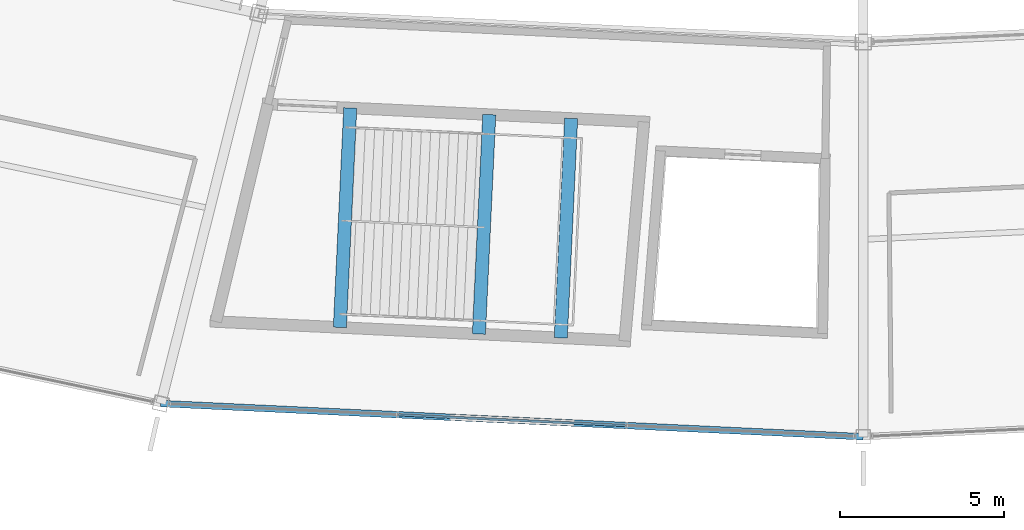
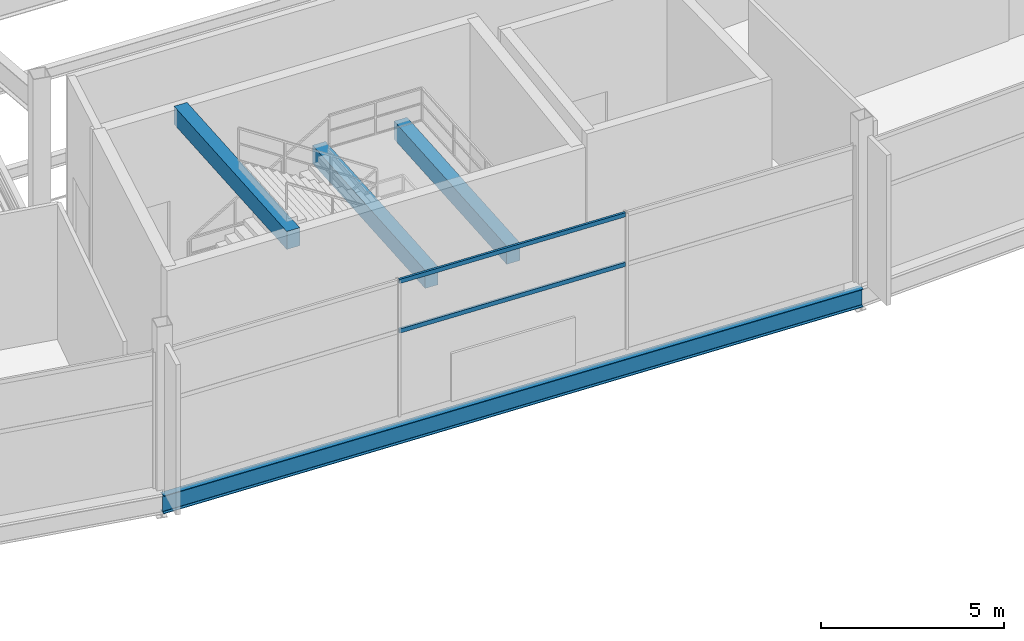
# One storey, part 30 of 186: 4 beams, 2 members, 1 element without a shape of its own.
"""IFC4 building model written with IfcOpenShell, lengths in metres."""

import ifcopenshell
import ifcopenshell.guid

model = None  # the IFC model being written
_history = None  # IfcOwnerHistory: only IFC2X3 demands one
_inside = {}  # id of a spatial element -> (the spatial element, [elements in it])
_under = {}  # id of a project, library or spatial element -> (it, [spatial elements below it])
_declared = {}  # id of a project -> (the project, [libraries it declares])
_typed = {}  # id of a type object -> (the type object, [elements of that type])
_made_of = {}  # id of a material, layer set ... -> (it, [elements and type objects made of it])


def new_model(schema):
    """Start an empty IFC model of exactly this schema.

    Asked for "IFC4X3", IfcOpenShell would pick the latest addendum, in which some entities
    have other attributes; the version numbers below select the first issue.
    IFC2X3 requires an IfcOwnerHistory on every rooted entity: one is made here for all.
    """
    global model, _history
    if schema == "IFC4X3":
        model = ifcopenshell.file(schema_version=(4, 3, 0, 0))
    else:
        model = ifcopenshell.file(schema=schema)
    _inside.clear()
    _under.clear()
    _declared.clear()
    _typed.clear()
    _made_of.clear()
    _history = None
    if model.schema == "IFC2X3":
        org = make("IfcOrganization", Name="unknown")
        user = make(
            "IfcPersonAndOrganization",
            ThePerson=make("IfcPerson", FamilyName="unknown"),
            TheOrganization=org,
        )
        app = make(
            "IfcApplication",
            ApplicationDeveloper=org,
            Version="unknown",
            ApplicationFullName="unknown",
            ApplicationIdentifier="unknown",
        )
        _history = make(
            "IfcOwnerHistory",
            OwningUser=user,
            OwningApplication=app,
            ChangeAction="ADDED",
            CreationDate=0,
        )
    return model


def make(cls, **values):
    """One entity of the class cls with the attributes given. An attribute that is None is left unset."""
    return model.create_entity(
        cls, **{name: value for name, value in values.items() if value is not None}
    )


def rooted(cls, **values):
    """An entity with a GlobalId (a new one), such as an element, a storey or a relation."""
    return make(cls, GlobalId=ifcopenshell.guid.new(), OwnerHistory=_history, **values)


def si_unit(unit_type, name, prefix=None):
    """IfcSIUnit, for example si_unit("LENGTHUNIT", "METRE", prefix="MILLI")."""
    return make("IfcSIUnit", UnitType=unit_type, Prefix=prefix, Name=name)


def assignment(units):
    """IfcUnitAssignment: the units of a project."""
    return None if units is None else make("IfcUnitAssignment", Units=units)


def point(xyz):
    """IfcCartesianPoint."""
    return None if xyz is None else make("IfcCartesianPoint", Coordinates=xyz)


def direction(xyz):
    """IfcDirection."""
    return None if xyz is None else make("IfcDirection", DirectionRatios=xyz)


def frame(location, z_axis=None, x_axis=None):
    """IfcAxis2Placement3D, a coordinate frame: its origin and axes. An axis left out is left unset."""
    return make(
        "IfcAxis2Placement3D",
        Location=point(location),
        Axis=direction(z_axis),
        RefDirection=direction(x_axis),
    )


def frame_2d(location, x_axis=None):
    """IfcAxis2Placement2D, a coordinate frame in the plane: its origin and x axis."""
    return make(
        "IfcAxis2Placement2D", Location=point(location), RefDirection=direction(x_axis)
    )


def origin():
    """The frame at (0, 0, 0) with its axes left unset."""
    return frame((0.0, 0.0, 0.0))


def origin_2d():
    """The frame at (0, 0) in the plane with its x axis left unset."""
    return frame_2d((0.0, 0.0))


def place(relative_to, where):
    """IfcLocalPlacement: puts the frame where relative to a parent placement (None: the world)."""
    return make(
        "IfcLocalPlacement", PlacementRelTo=relative_to, RelativePlacement=where
    )


def context(
    kind, dimensions, precision=None, world=None, true_north=None, identifier=None
):
    """IfcGeometricRepresentationContext, for example the 3D "Model" context."""
    return make(
        "IfcGeometricRepresentationContext",
        ContextIdentifier=identifier,
        ContextType=kind,
        CoordinateSpaceDimension=dimensions,
        Precision=precision,
        WorldCoordinateSystem=world,
        TrueNorth=true_north,
    )


def subcontext(parent, identifier, kind, view, scale=None):
    """IfcGeometricRepresentationSubContext, for example "Body" below "Model"."""
    return make(
        "IfcGeometricRepresentationSubContext",
        ContextIdentifier=identifier,
        ContextType=kind,
        ParentContext=parent,
        TargetScale=scale,
        TargetView=view,
    )


def project(units=None, contexts=None):
    """IfcProject with its units and contexts."""
    return rooted(
        "IfcProject",
        Name="project",
        RepresentationContexts=contexts,
        UnitsInContext=assignment(units),
    )


def spatial(cls, under=None, at=None, **own):
    """A site, building, storey or space (cls), placed at a placement, below another one or the project."""
    s = rooted(cls, ObjectPlacement=at, **own)
    if under is not None:
        _under.setdefault(under.id(), (under, []))[1].append(s)
    return s


def profile(cls, at=None, kind="AREA", **sizes):
    """A parametric profile (cls). Its sizes go by their IFC names, for example OverallWidth=200.0."""
    return make(cls, ProfileType=kind, Position=at, **sizes)


def rectangle(**sizes):
    """IfcRectangleProfileDef."""
    return profile("IfcRectangleProfileDef", **sizes)


def hollow_rectangle(**sizes):
    """IfcRectangleHollowProfileDef."""
    return profile("IfcRectangleHollowProfileDef", **sizes)


def i_section(**sizes):
    """IfcIShapeProfileDef."""
    return profile("IfcIShapeProfileDef", **sizes)


def extrude(swept, where, along, depth):
    """IfcExtrudedAreaSolid: the profile swept, set in the frame where, extruded along a direction by depth."""
    return make(
        "IfcExtrudedAreaSolid",
        SweptArea=swept,
        Position=where,
        ExtrudedDirection=direction(along),
        Depth=depth,
    )


def shape(context_of_items, identifier, shape_type, items):
    """IfcShapeRepresentation: the items that make up one representation, for example the "Body"."""
    return make(
        "IfcShapeRepresentation",
        ContextOfItems=context_of_items,
        RepresentationIdentifier=identifier,
        RepresentationType=shape_type,
        Items=items,
    )


def material(Name=None, Category=None):
    """IfcMaterial."""
    return make("IfcMaterial", Name=Name, Category=Category)


def layer(
    of_material, thickness, ventilated=None, Name=None, Category=None, Priority=None
):
    """IfcMaterialLayer: one layer of a wall or slab, of a material (None: an air gap)."""
    return make(
        "IfcMaterialLayer",
        Material=of_material,
        LayerThickness=thickness,
        IsVentilated=ventilated,
        Name=Name,
        Category=Category,
        Priority=Priority,
    )


def layer_set(layers, Name=None):
    """IfcMaterialLayerSet."""
    return make("IfcMaterialLayerSet", MaterialLayers=layers, LayerSetName=Name)


def material_profile(
    of_material, cross_section, Name=None, Category=None, Priority=None
):
    """IfcMaterialProfile: a cross section and its material."""
    return make(
        "IfcMaterialProfile",
        Name=Name,
        Material=of_material,
        Profile=cross_section,
        Priority=Priority,
        Category=Category,
    )


def profile_set(profiles, Name=None, composite=None):
    """IfcMaterialProfileSet."""
    return make(
        "IfcMaterialProfileSet",
        Name=Name,
        MaterialProfiles=profiles,
        CompositeProfile=composite,
    )


def made_of(thing, what):
    """Note that an element or type object is made of a material, layer set ...; save() writes the relation."""
    if what is not None:
        _made_of.setdefault(what.id(), (what, []))[1].append(thing)
    return thing


def type_object(cls, material=None, **own):
    """A type object (cls), such as IfcWallType, which elements share."""
    return made_of(rooted(cls, **own), material)


def element(
    cls,
    number,
    at=None,
    inside=None,
    cuts=None,
    type_object=None,
    material=None,
    context=None,
    identifier="Body",
    shape_type=None,
    held_by="IfcProductDefinitionShape",
    body=None,
    shapes=None,
    **own,
):
    """One element of the class cls, such as IfcWall. Its Tag is "e" and its number.

    at: its placement. inside: the storey or other place that contains it. cuts: it is an
    opening in that element (IfcRelVoidsElement). A single representation is given by context,
    identifier, shape_type and body (its items); several are given by shapes. held_by: the class
    of the entity that holds the representations. save() writes the other relations.
    """
    e = rooted(cls, Tag="e%d" % number, ObjectPlacement=at, **own)
    if body is not None:
        shapes = [shape(context, identifier, shape_type, body)]
    if shapes is not None:
        e.Representation = make(held_by, Representations=shapes)
    if inside is not None:
        _inside.setdefault(inside.id(), (inside, []))[1].append(e)
    if cuts is not None:
        rooted(
            "IfcRelVoidsElement", RelatingBuildingElement=cuts, RelatedOpeningElement=e
        )
    if type_object is not None:
        _typed.setdefault(type_object.id(), (type_object, []))[1].append(e)
    return made_of(e, material)


def aggregate(whole, parts):
    """IfcRelAggregates: a whole, such as a stair, and the parts it consists of."""
    return rooted("IfcRelAggregates", RelatingObject=whole, RelatedObjects=parts)


def save(model, path):
    """Write the relations noted so far, then the file.

    IfcRelAggregates (storeys below a building ...), IfcRelContainedInSpatialStructure (elements
    in a storey), IfcRelDefinesByType, IfcRelAssociatesMaterial and IfcRelDeclares: one each for
    every whole, place, type object, material and project.
    """
    for whole, parts in _under.values():
        aggregate(whole, parts)
    for where, things in _inside.values():
        rooted(
            "IfcRelContainedInSpatialStructure",
            RelatedElements=things,
            RelatingStructure=where,
        )
    for kind, things in _typed.values():
        rooted("IfcRelDefinesByType", RelatedObjects=things, RelatingType=kind)
    for what, things in _made_of.values():
        rooted("IfcRelAssociatesMaterial", RelatedObjects=things, RelatingMaterial=what)
    for by, libraries in _declared.values():
        rooted("IfcRelDeclares", RelatingContext=by, RelatedDefinitions=libraries)
    model.write(path)


model = new_model("IFC4")

# Units and contexts
model_context = context("Model", 3, precision=1e-05, world=origin(), true_north=direction((0.0, 1.0)))
body_context = subcontext(model_context, "Body", "Model", "MODEL_VIEW")
ifc_project = project(units=[si_unit("LENGTHUNIT", "METRE"), si_unit("AREAUNIT", "SQUARE_METRE"), si_unit("VOLUMEUNIT", "CUBIC_METRE"), si_unit("PLANEANGLEUNIT", "RADIAN"), si_unit("MASSUNIT", "GRAM", prefix="KILO")], contexts=[model_context])

# Site, building, storey
site_placement = place(None, origin())
site = spatial("IfcSite", under=ifc_project, at=site_placement, CompositionType="ELEMENT")
building_placement = place(site_placement, origin())
building = spatial("IfcBuilding", under=site, at=building_placement, Name="Kazemori Nagisa Stadium", CompositionType="ELEMENT")
storey_placement = place(building_placement, frame((0.0, 0.0, 20.39990234375)))
storey = spatial("IfcBuildingStorey", under=building, at=storey_placement, Name="L04", CompositionType="ELEMENT", Elevation=20.39990234375)

# Beams
ifc_material_1 = material(Name="Concrete C40/50 (Fc42)", Category="concrete")
ifc_material_profile_1 = material_profile(ifc_material_1, rectangle(XDim=0.39990234375, YDim=0.60009765625, at=origin_2d()), Name="RC-BM-400x600")
ifc_profile_set_1 = profile_set([ifc_material_profile_1], Name="Concrete C40/50 (Fc42)")
beam_type_1 = type_object("IfcBeamType", Name="Beam_BG-LND400X600", PredefinedType="BEAM", material=ifc_profile_set_1)
for number, where, z_axis, x_axis, name in (
    (1, (111.593017578125, 25.827392578125, 2.22021484375), (-0.047220656191, -0.998884482625, 0.0), (0.998884482625, -0.047220656191, 0.0), "Core stair mid-landing girder ST12-L04-1"),
    (2, (114.09033203125, 25.709228515625, 2.22021484375), (-0.047257010545, -0.998882763368, 0.0), (0.998882763368, -0.047257010545, 0.0), "Core stair mid-landing girder ST12-L04-2"),
    (3, (107.352783203125, 26.02783203125, 4.880126953125), (-0.047220656191, -0.998884482625, 0.0), (0.998884482625, -0.047220656191, 0.0), "Core stair arrival header girder ST12-L04"),
):
    element("IfcBeam", number, at=place(storey_placement, frame(where, z_axis=z_axis, x_axis=x_axis)), inside=storey, type_object=beam_type_1, Name=name, PredefinedType="BEAM", context=body_context, shape_type="SweptSolid", body=[
        extrude(rectangle(XDim=0.39990234375, YDim=0.60009765625, at=origin_2d()), origin(), (0.0, 0.0, 1.0), 6.70068359375),
    ])
ifc_material_2 = material(Name="Steel SN490B", Category="steel")
ifc_material_profile_2 = material_profile(ifc_material_2, i_section(OverallWidth=0.199951171875, OverallDepth=0.60009765625, WebThickness=0.010986328125, FlangeThickness=0.01708984375, FilletRadius=0.012939453125, at=origin_2d()), Name="H-600x200x11x17")
ifc_profile_set_2 = profile_set([ifc_material_profile_2], Name="Steel SN490B")
beam_type_2 = type_object("IfcBeamType", Name="Beam_BS-H600", PredefinedType="SPANDREL", material=ifc_profile_set_2)
beam_placement = place(storey_placement, frame((101.572265625, 17.01318359375, -0.599853515625), z_axis=(0.998883994571, -0.047230979144, 0.0), x_axis=(0.047230979144, 0.998883994571, 0.0)))
element("IfcBeam", 4, at=beam_placement, inside=storey, type_object=beam_type_2, Name="Ring girder BS-H600 L04 R3-21", PredefinedType="SPANDREL", context=body_context, shape_type="SweptSolid", body=[
    extrude(i_section(OverallWidth=0.199951171875, OverallDepth=0.60009765625, WebThickness=0.010986328125, FlangeThickness=0.01708984375, FilletRadius=0.012939453125, at=origin_2d()), origin(), (0.0, 0.0, 1.0), 21.45166015625),
])

# Curtain wall, members
ifc_material_3 = material(Name="Anodised aluminium 6063-T5", Category="aluminium")
ifc_layer = layer(ifc_material_3, 0.179931640625, Name="Anodised aluminium 6063-T5", Category="aluminium")
ifc_layer_set = layer_set([ifc_layer], Name="Anodised aluminium 6063-T5")
curtain_wall_type = type_object("IfcCurtainWallType", Name="CW_L04R3_105", PredefinedType="USERDEFINED", material=ifc_layer_set)
curtain_wall_placement = place(storey_placement, origin())
curtain_wall = element("IfcCurtainWall", 5, at=curtain_wall_placement, inside=storey, type_object=curtain_wall_type, Name="Unitised curtain wall CW-L04R3-105 L04", ObjectType="UNITISED CURTAIN WALL", PredefinedType="USERDEFINED")
ifc_material_4 = material(Name="Aluminium 6063-T5 anodised", Category="aluminium")
ifc_material_profile_3 = material_profile(ifc_material_4, hollow_rectangle(XDim=0.070068359375, YDim=0.139892578125, WallThickness=0.00390625, at=origin_2d()), Name="ALU-TRAN-70x140x4")
ifc_profile_set_3 = profile_set([ifc_material_profile_3], Name="Aluminium 6063-T5 anodised")
member_type = type_object("IfcMemberType", Name="Transom_T01", PredefinedType="USERDEFINED", material=ifc_profile_set_3)
member_1_placement = place(storey_placement, frame((108.81982421875, 16.67041015625, 2.80859375), z_axis=(0.998885105073, -0.047207487358, 0.0), x_axis=(0.047207487358, 0.998885105073, 0.0)))
member_1 = element("IfcMember", 6, at=member_1_placement, type_object=member_type, Name="Curtain wall transom CW-L04R3-105-T2-mid", ObjectType="TRANSOM", PredefinedType="USERDEFINED", context=body_context, shape_type="SweptSolid", body=[
    extrude(hollow_rectangle(XDim=0.070068359375, YDim=0.139892578125, WallThickness=0.00390625, at=origin_2d()), origin(), (0.0, 0.0, 1.0), 6.9404296875),
])
member_2_placement = place(storey_placement, frame((108.81982421875, 16.67041015625, 4.460205078125), z_axis=(0.998885105073, -0.047207487358, 0.0), x_axis=(0.047207487358, 0.998885105073, 0.0)))
member_2 = element("IfcMember", 7, at=member_2_placement, type_object=member_type, Name="Curtain wall transom CW-L04R3-105-T2-head", ObjectType="TRANSOM", PredefinedType="USERDEFINED", context=body_context, shape_type="SweptSolid", body=[
    extrude(hollow_rectangle(XDim=0.070068359375, YDim=0.139892578125, WallThickness=0.00390625, at=origin_2d()), origin(), (0.0, 0.0, 1.0), 6.9404296875),
])
aggregate(curtain_wall, [member_1, member_2])

save(model, "model.ifc")
